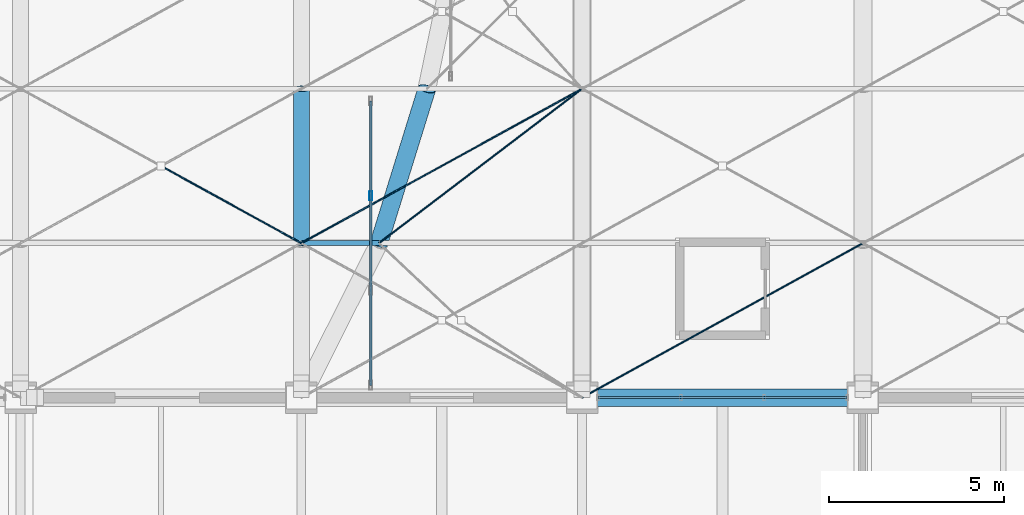
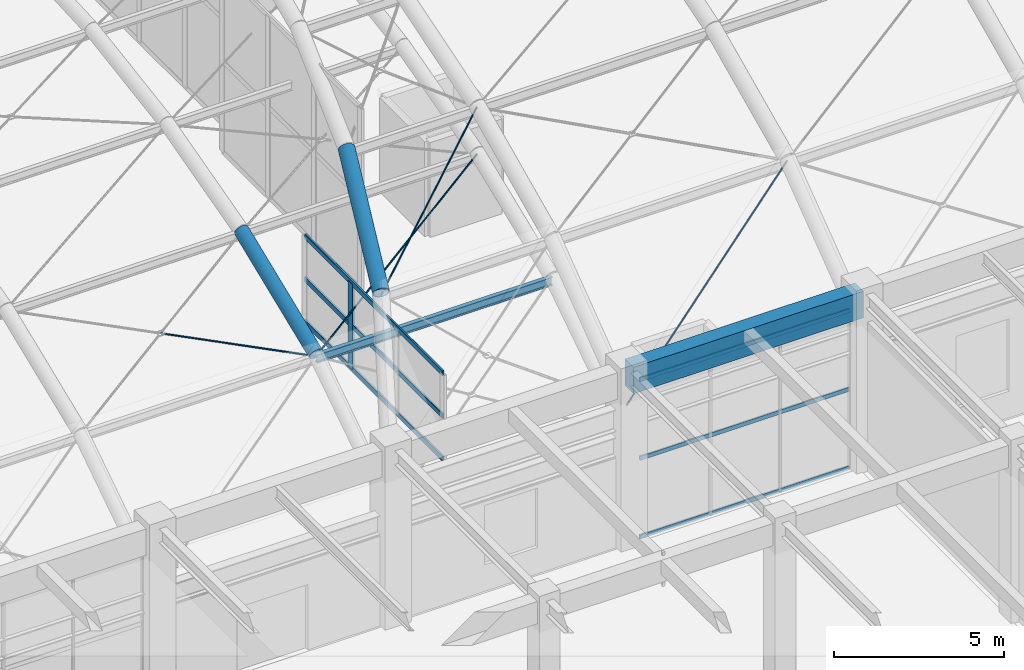
# One storey, part 40 of 163: 11 members, 4 beams, 2 elements without a shape of their own.
"""IFC4 building model written with IfcOpenShell, lengths in metres."""

from ifc_helpers import new_model, si_unit, direction, frame, origin, origin_2d, place, context, subcontext, project, spatial, rectangle, hollow_rectangle, circle, hollow_circle, i_section, extrude, material, material_profile, profile_set, type_object, element, aggregate, save


model = new_model("IFC4")

# Units and contexts
model_context = context("Model", 3, precision=1e-05, world=origin(), true_north=direction((0.0, 1.0)))
body_context = subcontext(model_context, "Body", "Model", "MODEL_VIEW")
ifc_project = project(units=[si_unit("LENGTHUNIT", "METRE"), si_unit("AREAUNIT", "SQUARE_METRE"), si_unit("VOLUMEUNIT", "CUBIC_METRE"), si_unit("PLANEANGLEUNIT", "RADIAN"), si_unit("MASSUNIT", "GRAM", prefix="KILO")], contexts=[model_context])

# Site, building, storey
site_placement = place(None, origin())
site = spatial("IfcSite", under=ifc_project, at=site_placement, CompositionType="ELEMENT")
building_placement = place(site_placement, origin())
building = spatial("IfcBuilding", under=site, at=building_placement, Name="Varnabhumi Central Station", CompositionType="ELEMENT")
storey_placement = place(building_placement, frame((0.0, 0.0, 9.60009765625)))
storey = spatial("IfcBuildingStorey", under=building, at=storey_placement, Name="L02", CompositionType="ELEMENT", Elevation=9.60009765625)

# Beams
ifc_material_1 = material(Name="Structural steel E450", Category="steel")
ifc_material_profile_1 = material_profile(ifc_material_1, hollow_circle(Radius=0.228515625, WallThickness=0.01611328125, at=origin_2d()), Name="Structural steel E450", Category="steel")
ifc_profile_set_1 = profile_set([ifc_material_profile_1], Name="Structural steel E450")
beam_type_1 = type_object("IfcBeamType", Name="BM-ARCH-CHS457", PredefinedType="BEAM", material=ifc_profile_set_1)
beam_1_placement = place(storey_placement, frame((72.0, 40.39990234375, 6.844970703125), z_axis=(0.0, 0.926804098242, 0.37554515505), x_axis=(-1.0, 0.0, 0.0)))
element("IfcBeam", 1, at=beam_1_placement, inside=storey, type_object=beam_type_1, Name="Ticket Hall Vault Arch Rib 5 Seg 2", PredefinedType="BEAM", context=body_context, shape_type="SweptSolid", body=[
    extrude(hollow_circle(Radius=0.228515625, WallThickness=0.01611328125, at=origin_2d()), origin(), (0.0, 0.0, 1.0), 4.74755859375),
])
ifc_material_2 = material(Name="Structural steel E350", Category="steel")
ifc_material_profile_2 = material_profile(ifc_material_2, hollow_circle(Radius=0.25390625, WallThickness=0.02001953125, at=origin_2d()), Name="Structural steel E350", Category="steel")
ifc_profile_set_2 = profile_set([ifc_material_profile_2], Name="Structural steel E350")
beam_type_2 = type_object("IfcBeamType", Name="BM-ARCH-CHS508", PredefinedType="BEAM", material=ifc_profile_set_2)
beam_2_placement = place(storey_placement, frame((74.2138671875, 40.39990234375, 8.270751953125), z_axis=(0.270532260799, 0.87301753561, 0.405774171659), x_axis=(-0.95518924728, 0.295995780173, 0.0)))
element("IfcBeam", 2, at=beam_2_placement, inside=storey, type_object=beam_type_2, Name="Departure Concourse Vault Arch Rib 1 Seg 2", PredefinedType="BEAM", context=body_context, shape_type="SweptSolid", body=[
    extrude(hollow_circle(Radius=0.25390625, WallThickness=0.02001953125, at=origin_2d()), origin(), (0.0, 0.0, 1.0), 5.0400390625),
])
ifc_material_profile_3 = material_profile(ifc_material_2, i_section(OverallWidth=0.139892578125, OverallDepth=0.300048828125, WebThickness=0.0078125, FlangeThickness=0.01318359375, FilletRadius=0.013916015625, at=origin_2d()), Name="Structural steel E350", Category="steel")
ifc_profile_set_3 = profile_set([ifc_material_profile_3], Name="Structural steel E350")
beam_type_3 = type_object("IfcBeamType", Name="BM-PUR-ISMB300", PredefinedType="LINTEL", material=ifc_profile_set_3)
beam_3_placement = place(storey_placement, frame((72.0, 40.39990234375, 6.695068359375), z_axis=(1.0, 0.0, 0.0), x_axis=(0.0, 1.0, 0.0)))
element("IfcBeam", 3, at=beam_3_placement, inside=storey, type_object=beam_type_3, Name="Ticket Hall Vault Purlin B5-L1", PredefinedType="LINTEL", context=body_context, shape_type="SweptSolid", body=[
    extrude(i_section(OverallWidth=0.139892578125, OverallDepth=0.300048828125, WebThickness=0.0078125, FlangeThickness=0.01318359375, FilletRadius=0.013916015625, at=origin_2d()), origin(), (0.0, 0.0, 1.0), 8.0),
])
ifc_material_3 = material(Name="Concrete M40", Category="concrete")
ifc_material_profile_4 = material_profile(ifc_material_3, rectangle(XDim=0.5, YDim=0.949951171875, at=origin_2d()), Name="Concrete M40", Category="concrete")
ifc_profile_set_4 = profile_set([ifc_material_profile_4], Name="Concrete M40")
beam_type_4 = type_object("IfcBeamType", Name="BM-RC-950x500", PredefinedType="BEAM", material=ifc_profile_set_4)
beam_4_placement = place(storey_placement, frame((80.10009765625, 36.0, 5.875), z_axis=(1.0, 0.0, 0.0), x_axis=(0.0, 1.0, 0.0)))
element("IfcBeam", 4, at=beam_4_placement, inside=storey, type_object=beam_type_4, Name="Beam L02-E:11-12", PredefinedType="BEAM", context=body_context, shape_type="SweptSolid", body=[
    extrude(rectangle(XDim=0.5, YDim=0.949951171875, at=origin_2d()), origin(), (0.0, 0.0, 1.0), 7.7998046875),
])

# Curtain wall, member
ifc_material_4 = material(Name="Anodised aluminium 6063-T6", Category="aluminium")
curtain_wall_type_1 = type_object("IfcCurtainWallType", Name="CW-VAULT-ARCH-V4", PredefinedType="NOTDEFINED", material=ifc_material_4)
curtain_wall_1_placement = place(storey_placement, origin())
curtain_wall_1 = element("IfcCurtainWall", 5, at=curtain_wall_1_placement, inside=storey, type_object=curtain_wall_type_1, Name="Curtain Wall CW-V41", PredefinedType="NOTDEFINED")
ifc_material_profile_5 = material_profile(ifc_material_4, hollow_rectangle(XDim=0.080078125, YDim=0.25, WallThickness=0.0048828125, InnerFilletRadius=0.0009765625, OuterFilletRadius=0.006103515625, at=origin_2d()), Name="Anodised aluminium 6063-T6", Category="aluminium")
ifc_profile_set_5 = profile_set([ifc_material_profile_5], Name="Anodised aluminium 6063-T6")
member_type_1 = type_object("IfcMemberType", Name="CW-MUL-250", PredefinedType="MULLION", material=ifc_profile_set_5)
member_1_placement = place(storey_placement, frame((73.98095703125, 41.75, 4.849853515625), z_axis=(0.0, 0.0, 1.0), x_axis=(1.0, 0.0, 0.0)))
member_1 = element("IfcMember", 6, at=member_1_placement, type_object=member_type_1, Name="Curtain Wall Mullion CW-V41-M3", PredefinedType="MULLION", context=body_context, shape_type="SweptSolid", body=[
    extrude(hollow_rectangle(XDim=0.080078125, YDim=0.25, WallThickness=0.0048828125, InnerFilletRadius=0.0009765625, OuterFilletRadius=0.006103515625, at=origin_2d()), origin(), (0.0, 0.0, 1.0), 3.071044921875),
])

# Curtain wall, members
curtain_wall_type_2 = type_object("IfcCurtainWallType", Name="CW-SPINE-SCREEN-L2", PredefinedType="NOTDEFINED", material=ifc_material_4)
curtain_wall_2_placement = place(storey_placement, origin())
curtain_wall_2 = element("IfcCurtainWall", 7, at=curtain_wall_2_placement, inside=storey, type_object=curtain_wall_type_2, Name="Curtain Wall CW-SS206", PredefinedType="NOTDEFINED")
ifc_material_profile_6 = material_profile(ifc_material_4, hollow_rectangle(XDim=0.06005859375, YDim=0.14990234375, WallThickness=0.00390625, InnerFilletRadius=0.001953125, OuterFilletRadius=0.006103515625, at=origin_2d()), Name="Anodised aluminium 6063-T6", Category="aluminium")
ifc_profile_set_6 = profile_set([ifc_material_profile_6], Name="Anodised aluminium 6063-T6")
member_type_2 = type_object("IfcMemberType", Name="CW-TR-150", PredefinedType="USERDEFINED", material=ifc_profile_set_6)
member_2_placement = place(storey_placement, frame((80.449951171875, 36.0, 0.0), z_axis=(1.0, 0.0, 0.0), x_axis=(0.0, 1.0, 0.0)))
member_2 = element("IfcMember", 8, at=member_2_placement, type_object=member_type_2, Name="Curtain Wall Transom CW-SS206-T1", ObjectType="TRANSOM", PredefinedType="USERDEFINED", context=body_context, shape_type="SweptSolid", body=[
    extrude(hollow_rectangle(XDim=0.06005859375, YDim=0.14990234375, WallThickness=0.00390625, InnerFilletRadius=0.001953125, OuterFilletRadius=0.006103515625, at=origin_2d()), origin(), (0.0, 0.0, 1.0), 7.10009765625),
])
member_3_placement = place(storey_placement, frame((80.449951171875, 36.0, 2.81982421875), z_axis=(1.0, 0.0, 0.0), x_axis=(0.0, 1.0, 0.0)))
member_3 = element("IfcMember", 9, at=member_3_placement, type_object=member_type_2, Name="Curtain Wall Transom CW-SS206-T2", ObjectType="TRANSOM", PredefinedType="USERDEFINED", context=body_context, shape_type="SweptSolid", body=[
    extrude(hollow_rectangle(XDim=0.06005859375, YDim=0.14990234375, WallThickness=0.00390625, InnerFilletRadius=0.001953125, OuterFilletRadius=0.006103515625, at=origin_2d()), origin(), (0.0, 0.0, 1.0), 7.10009765625),
])
member_4_placement = place(storey_placement, frame((80.449951171875, 36.0, 5.639892578125), z_axis=(1.0, 0.0, 0.0), x_axis=(0.0, 1.0, 0.0)))
member_4 = element("IfcMember", 10, at=member_4_placement, type_object=member_type_2, Name="Curtain Wall Transom CW-SS206-T3", ObjectType="TRANSOM", PredefinedType="USERDEFINED", context=body_context, shape_type="SweptSolid", body=[
    extrude(hollow_rectangle(XDim=0.06005859375, YDim=0.14990234375, WallThickness=0.00390625, InnerFilletRadius=0.001953125, OuterFilletRadius=0.006103515625, at=origin_2d()), origin(), (0.0, 0.0, 1.0), 7.10009765625),
])
aggregate(curtain_wall_2, [member_2, member_3, member_4])

# Member
ifc_material_profile_7 = material_profile(ifc_material_4, hollow_rectangle(XDim=0.06494140625, YDim=0.179931640625, WallThickness=0.00390625, InnerFilletRadius=0.001953125, OuterFilletRadius=0.006103515625, at=origin_2d()), Name="Anodised aluminium 6063-T6", Category="aluminium")
ifc_profile_set_7 = profile_set([ifc_material_profile_7], Name="Anodised aluminium 6063-T6")
member_type_3 = type_object("IfcMemberType", Name="CW-TR-180", PredefinedType="USERDEFINED", material=ifc_profile_set_7)
member_5_placement = place(storey_placement, frame((73.98095703125, 36.35009765625, 4.849853515625), z_axis=(0.0, 1.0, 0.0), x_axis=(-1.0, 0.0, 0.0)))
member_5 = element("IfcMember", 11, at=member_5_placement, type_object=member_type_3, Name="Curtain Wall Transom CW-V41-T1", ObjectType="TRANSOM", PredefinedType="USERDEFINED", context=body_context, shape_type="SweptSolid", body=[
    extrude(hollow_rectangle(XDim=0.06494140625, YDim=0.179931640625, WallThickness=0.00390625, InnerFilletRadius=0.001953125, OuterFilletRadius=0.006103515625, at=origin_2d()), origin(), (0.0, 0.0, 1.0), 8.099853515625),
])

member_6_placement = place(storey_placement, frame((73.98095703125, 36.35009765625, 6.38525390625), z_axis=(0.0, 1.0, 0.0), x_axis=(-1.0, 0.0, 0.0)))
member_6 = element("IfcMember", 12, at=member_6_placement, type_object=member_type_3, Name="Curtain Wall Transom CW-V41-T2", ObjectType="TRANSOM", PredefinedType="USERDEFINED", context=body_context, shape_type="SweptSolid", body=[
    extrude(hollow_rectangle(XDim=0.06494140625, YDim=0.179931640625, WallThickness=0.00390625, InnerFilletRadius=0.001953125, OuterFilletRadius=0.006103515625, at=origin_2d()), origin(), (0.0, 0.0, 1.0), 8.099853515625),
])

member_7_placement = place(storey_placement, frame((73.98095703125, 36.35009765625, 7.9208984375), z_axis=(0.0, 1.0, 0.0), x_axis=(-1.0, 0.0, 0.0)))
member_7 = element("IfcMember", 13, at=member_7_placement, type_object=member_type_3, Name="Curtain Wall Transom CW-V41-T3", ObjectType="TRANSOM", PredefinedType="USERDEFINED", context=body_context, shape_type="SweptSolid", body=[
    extrude(hollow_rectangle(XDim=0.06494140625, YDim=0.179931640625, WallThickness=0.00390625, InnerFilletRadius=0.001953125, OuterFilletRadius=0.006103515625, at=origin_2d()), origin(), (0.0, 0.0, 1.0), 8.099853515625),
])

aggregate(curtain_wall_1, [member_1, member_5, member_6, member_7])

# Members
ifc_material_5 = material(Name="Spiral-strand steel S1570", Category="steel")
ifc_material_profile_8 = material_profile(ifc_material_5, circle(Radius=0.02099609375, at=origin_2d()), Name="Spiral-strand steel S1570", Category="steel")
ifc_profile_set_8 = profile_set([ifc_material_profile_8], Name="Spiral-strand steel S1570")
member_type_4 = type_object("IfcMemberType", Name="MBR-CABLE-D42", PredefinedType="USERDEFINED", material=ifc_profile_set_8)
member_8_placement = place(storey_placement, frame((68.0, 42.60009765625, 7.656494140625), z_axis=(0.859950363032, -0.473014689432, -0.191683271838), x_axis=(0.481951596342, 0.876197842262, 0.0)))
element("IfcMember", 14, at=member_8_placement, inside=storey, type_object=member_type_4, Name="Ticket Hall Vault Cable-Net Split Tie B4-P2B2", ObjectType="TENSION CABLE", PredefinedType="USERDEFINED", context=body_context, shape_type="SweptSolid", body=[
    extrude(circle(Radius=0.02099609375, at=origin_2d()), origin(), (0.0, 0.0, 1.0), 4.6513671875),
])
member_9_placement = place(storey_placement, frame((72.0, 40.39990234375, 6.764892578125), z_axis=(0.859965363866, 0.472996696562, 0.19166037147), x_axis=(-0.481931067474, 0.876209133828, 0.0)))
element("IfcMember", 15, at=member_9_placement, inside=storey, type_object=member_type_4, Name="Ticket Hall Vault Cable-Net Tie B5-P2A", ObjectType="TENSION CABLE", PredefinedType="USERDEFINED", context=body_context, shape_type="SweptSolid", body=[
    extrude(circle(Radius=0.02099609375, at=origin_2d()), origin(), (0.0, 0.0, 1.0), 9.302734375),
])
ifc_material_profile_9 = material_profile(ifc_material_5, circle(Radius=0.027099609375, at=origin_2d()), Name="Spiral-strand steel S1570", Category="steel")
ifc_profile_set_9 = profile_set([ifc_material_profile_9], Name="Spiral-strand steel S1570")
member_type_5 = type_object("IfcMemberType", Name="MBR-CABLE-D54", PredefinedType="USERDEFINED", material=ifc_profile_set_9)
member_10_placement = place(storey_placement, frame((74.2138671875, 40.39990234375, 8.19091796875), z_axis=(0.766241955533, 0.582699525931, 0.270803486057), x_axis=(-0.605317422479, 0.795984182031, 0.0)))
element("IfcMember", 16, at=member_10_placement, inside=storey, type_object=member_type_5, Name="Departure Concourse Vault Cable-Net Tie B1-P2A", ObjectType="TENSION CABLE", PredefinedType="USERDEFINED", context=body_context, shape_type="SweptSolid", body=[
    extrude(circle(Radius=0.027099609375, at=origin_2d()), origin(), (0.0, 0.0, 1.0), 7.55126953125),
])
member_11_placement = place(storey_placement, frame((80.0, 36.0, 4.869873046875), z_axis=(0.823437214719, 0.452880416372, 0.341833997553), x_axis=(-0.481910537812, 0.876220425204, 0.0)))
element("IfcMember", 17, at=member_11_placement, inside=storey, type_object=member_type_5, Name="Departure Concourse Vault Cable-Net Tie B2-P1A", ObjectType="TENSION CABLE", PredefinedType="USERDEFINED", context=body_context, shape_type="SweptSolid", body=[
    extrude(circle(Radius=0.027099609375, at=origin_2d()), origin(), (0.0, 0.0, 1.0), 9.71533203125),
])

save(model, "model.ifc")
